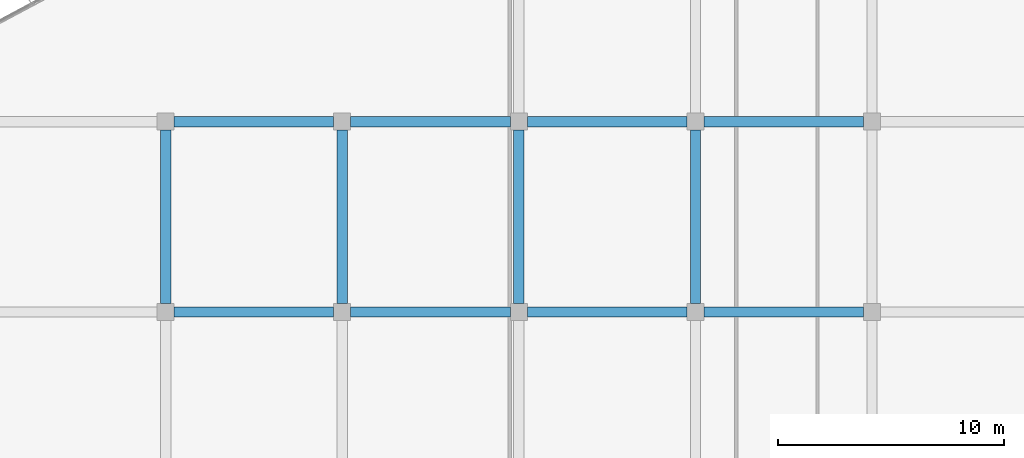
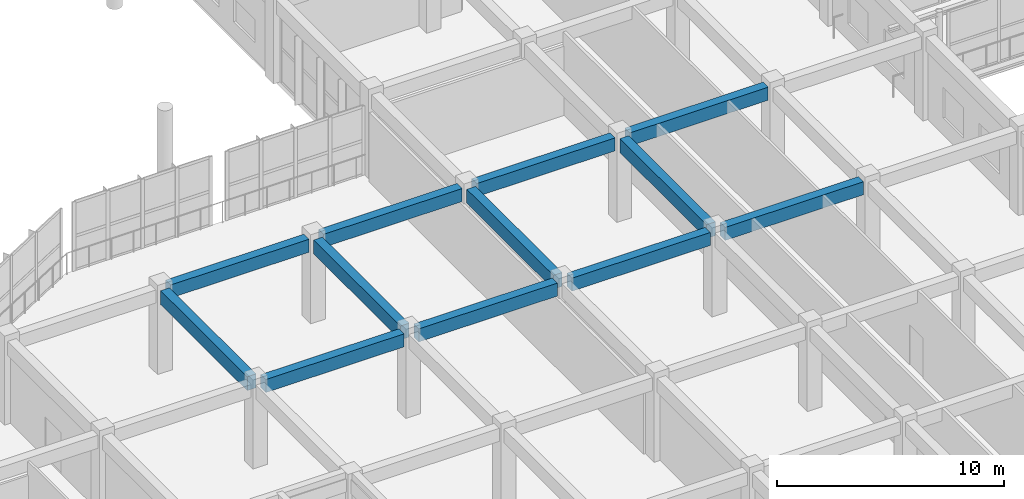
# One storey, part 45 of 167: 12 beams.
"""IFC4 building model written with IfcOpenShell, lengths in metres."""

from ifc_helpers import new_model, si_unit, direction, frame, origin, origin_2d, place, context, subcontext, project, spatial, rectangle, extrude, material, material_profile, profile_set, type_object, element, save


model = new_model("IFC4")

# Units and contexts
model_context = context("Model", 3, precision=1e-05, world=origin(), true_north=direction((0.0, 1.0)))
body_context = subcontext(model_context, "Body", "Model", "MODEL_VIEW")
ifc_project = project(units=[si_unit("LENGTHUNIT", "METRE"), si_unit("AREAUNIT", "SQUARE_METRE"), si_unit("VOLUMEUNIT", "CUBIC_METRE"), si_unit("PLANEANGLEUNIT", "RADIAN"), si_unit("MASSUNIT", "GRAM", prefix="KILO")], contexts=[model_context])

# Site, building, storey
site_placement = place(None, origin())
site = spatial("IfcSite", under=ifc_project, at=site_placement, CompositionType="ELEMENT")
building_placement = place(site_placement, origin())
building = spatial("IfcBuilding", under=site, at=building_placement, Name="Zizhar Promenade General Hospital", CompositionType="ELEMENT")
storey_placement = place(building_placement, frame((0.0, 0.0, 9.60009765625)))
storey = spatial("IfcBuildingStorey", under=building, at=storey_placement, Name="L02", CompositionType="ELEMENT", Elevation=9.60009765625)

# Beams
ifc_material_1 = material(Name="Concrete C35/45", Category="concrete")
ifc_material_profile_1 = material_profile(ifc_material_1, rectangle(XDim=0.449951171875, YDim=0.699951171875, at=origin_2d()))
ifc_profile_set_1 = profile_set([ifc_material_profile_1], Name="Concrete C35/45")
beam_type_1 = type_object("IfcBeamType", Name="BM-RC-450x700", PredefinedType="BEAM", material=ifc_profile_set_1)
for number, where, z_axis, x_axis, name in (
    (1, (31.574951171875, 67.199951171875, 4.119873046875), (1.0, 0.0, 0.0), (0.0, 1.0, 0.0), "Grid Beam X L02 (4-8)"),
    (2, (31.574951171875, 75.60009765625, 4.119873046875), (1.0, 0.0, 0.0), (0.0, 1.0, 0.0), "Grid Beam X L02 (4-9)"),
    (3, (39.375, 67.199951171875, 4.119873046875), (1.0, 0.0, 0.0), (0.0, 1.0, 0.0), "Grid Beam X L02 (5-8)"),
    (4, (39.375, 75.60009765625, 4.119873046875), (1.0, 0.0, 0.0), (0.0, 1.0, 0.0), "Grid Beam X L02 (5-9)"),
    (5, (47.175048828125, 67.199951171875, 4.119873046875), (1.0, 0.0, 0.0), (0.0, 1.0, 0.0), "Grid Beam X L02 (6-8)"),
    (6, (47.175048828125, 75.60009765625, 4.119873046875), (1.0, 0.0, 0.0), (0.0, 1.0, 0.0), "Grid Beam X L02 (6-9)"),
):
    element("IfcBeam", number, at=place(storey_placement, frame(where, z_axis=z_axis, x_axis=x_axis)), inside=storey, type_object=beam_type_1, Name=name, PredefinedType="BEAM", context=body_context, shape_type="SweptSolid", body=[
        extrude(rectangle(XDim=0.449951171875, YDim=0.699951171875, at=origin_2d()), origin(), (0.0, 0.0, 1.0), 7.050048828125),
    ])
for number, where, z_axis, x_axis, name in (
    (7, (54.97509765625, 67.199951171875, 4.119873046875), (1.0, 0.0, 0.0), (0.0, 1.0, 0.0), "Grid Beam X L02 (7-8)"),
    (8, (54.97509765625, 75.60009765625, 4.119873046875), (1.0, 0.0, 0.0), (0.0, 1.0, 0.0), "Grid Beam X L02 (7-9)"),
):
    element("IfcBeam", number, at=place(storey_placement, frame(where, z_axis=z_axis, x_axis=x_axis)), inside=storey, type_object=beam_type_1, Name=name, PredefinedType="BEAM", context=body_context, shape_type="SweptSolid", body=[
        extrude(rectangle(XDim=0.449951171875, YDim=0.699951171875, at=origin_2d()), origin(), (0.0, 0.0, 1.0), 7.0498046875),
    ])
ifc_material_2 = material(Name="Concrete C35/45", Category="concrete")
ifc_material_profile_2 = material_profile(ifc_material_2, rectangle(XDim=0.449951171875, YDim=0.75, at=origin_2d()))
ifc_profile_set_2 = profile_set([ifc_material_profile_2], Name="Concrete C35/45")
beam_type_2 = type_object("IfcBeamType", Name="BM-RC-450x750", PredefinedType="BEAM", material=ifc_profile_set_2)
for number, where, z_axis, x_axis, name in (
    (9, (31.199951171875, 67.574951171875, 4.094970703125), (0.0, 1.0, 0.0), (-1.0, 0.0, 0.0), "Grid Beam Y L02 (4-8)"),
    (10, (39.0, 67.574951171875, 4.094970703125), (0.0, 1.0, 0.0), (-1.0, 0.0, 0.0), "Grid Beam Y L02 (5-8)"),
    (11, (46.800048828125, 67.574951171875, 4.094970703125), (0.0, 1.0, 0.0), (-1.0, 0.0, 0.0), "Grid Beam Y L02 (6-8)"),
    (12, (54.60009765625, 67.574951171875, 4.094970703125), (0.0, 1.0, 0.0), (-1.0, 0.0, 0.0), "Grid Beam Y L02 (7-8)"),
):
    element("IfcBeam", number, at=place(storey_placement, frame(where, z_axis=z_axis, x_axis=x_axis)), inside=storey, type_object=beam_type_2, Name=name, PredefinedType="BEAM", context=body_context, shape_type="SweptSolid", body=[
        extrude(rectangle(XDim=0.449951171875, YDim=0.75, at=origin_2d()), origin(), (0.0, 0.0, 1.0), 7.650146484375),
    ])

save(model, "model.ifc")
